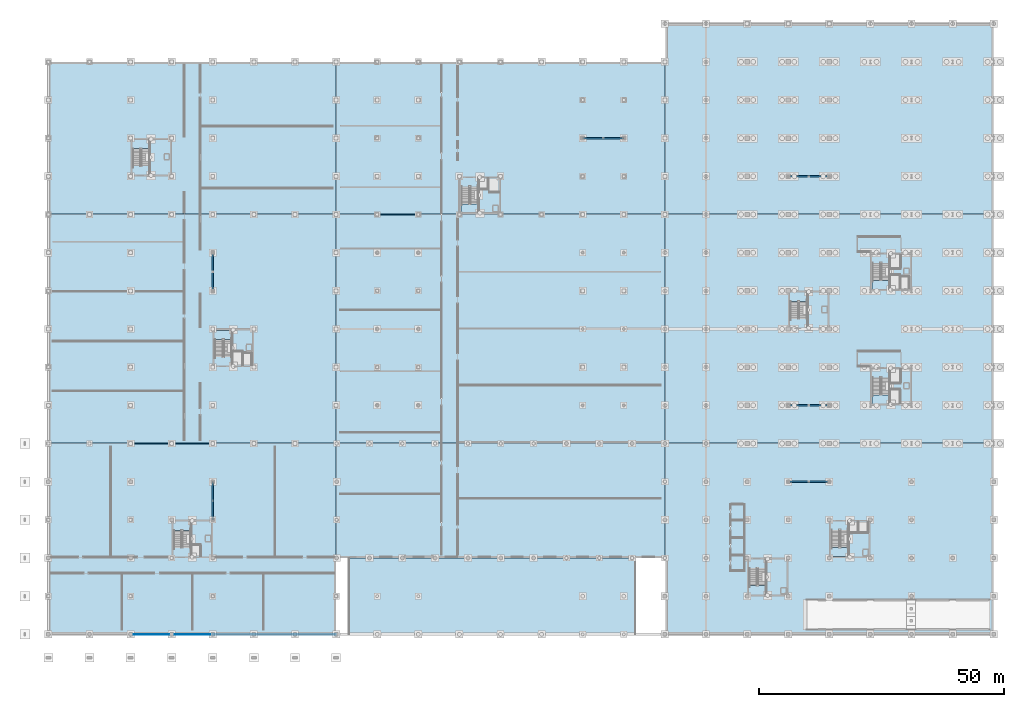
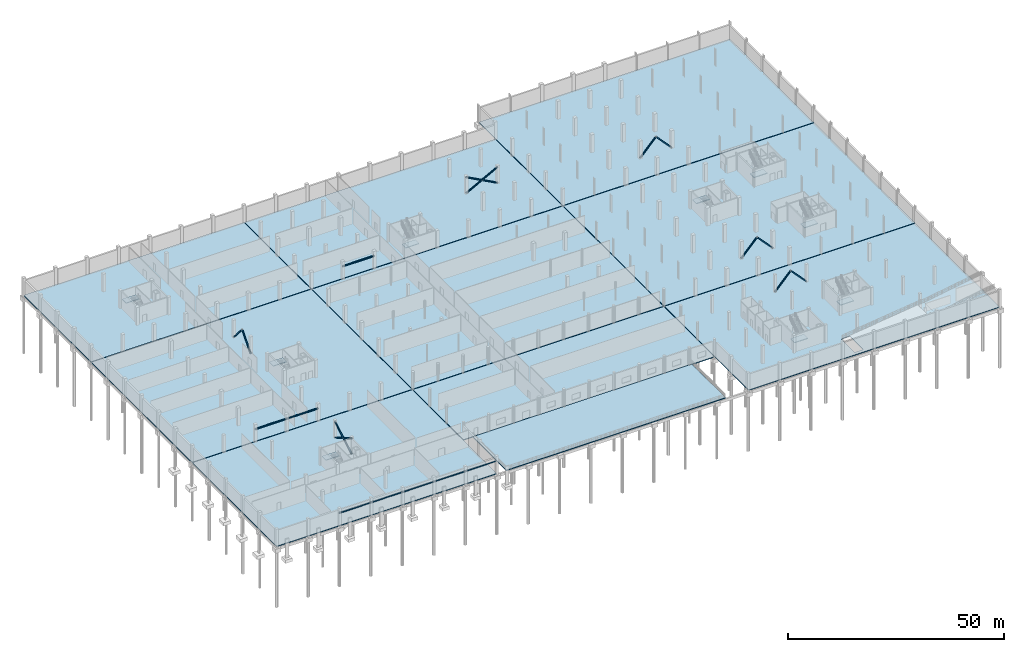
# One storey, part 24 of 48: 19 slabs, 14 members, 6 beams, 9 elements without a shape of their own.
"""IFC4 building model written with IfcOpenShell, lengths in metres."""

from ifc_helpers import new_model, si_unit, direction, frame, origin, origin_2d, place, context, subcontext, project, spatial, polyline, hollow_rectangle, i_section, outline, extrude, material, layer, layer_set, material_profile, profile_set, type_object, element, aggregate, save


model = new_model("IFC4")

# Units and contexts
model_context = context("Model", 3, precision=1e-05, world=origin(), true_north=direction((0.0, 1.0)))
body_context = subcontext(model_context, "Body", "Model", "MODEL_VIEW")
ifc_project = project(units=[si_unit("LENGTHUNIT", "METRE"), si_unit("AREAUNIT", "SQUARE_METRE"), si_unit("VOLUMEUNIT", "CUBIC_METRE"), si_unit("PLANEANGLEUNIT", "RADIAN"), si_unit("MASSUNIT", "GRAM", prefix="KILO")], contexts=[model_context])

# Site, building, storey
site_placement = place(None, origin())
site = spatial("IfcSite", under=ifc_project, at=site_placement, CompositionType="ELEMENT")
building_placement = place(site_placement, origin())
building = spatial("IfcBuilding", under=site, at=building_placement, Name="Nabrawat Pavilion Hospital", CompositionType="ELEMENT")
storey_placement = place(building_placement, frame((0.0, 0.0, -5.10009765625)))
storey = spatial("IfcBuildingStorey", under=building, at=storey_placement, Name="B1", CompositionType="ELEMENT", Elevation=-5.10009765625)

# Beams
ifc_material_1 = material(Name="Steel S355", Category="steel")
ifc_material_profile_1 = material_profile(ifc_material_1, i_section(OverallWidth=0.10009765625, OverallDepth=0.199951171875, WebThickness=0.005615234375, FlangeThickness=0.008544921875, FilletRadius=0.011962890625, at=origin_2d()), Name="IPE 200")
ifc_profile_set_1 = profile_set([ifc_material_profile_1], Name="Steel S355")
beam_type_1 = type_object("IfcBeamType", Name="Interior Shaft Opening Lintel IPE 200", PredefinedType="LINTEL", material=ifc_profile_set_1)
beam_1_placement = place(storey_placement, frame((16.820068359375, 0.0, 3.550048828125), z_axis=(1.0, 0.0, 0.0), x_axis=(0.0, 1.0, 0.0)))
element("IfcBeam", 1, at=beam_1_placement, inside=storey, type_object=beam_type_1, Name="B1 Service Spine Opening Lintel 06", PredefinedType="LINTEL", context=body_context, shape_type="SweptSolid", body=[
    extrude(i_section(OverallWidth=0.10009765625, OverallDepth=0.199951171875, WebThickness=0.005615234375, FlangeThickness=0.008544921875, FilletRadius=0.011962890625, at=origin_2d()), origin(), (0.0, 0.0, 1.0), 8.35986328125),
])
beam_2_placement = place(storey_placement, frame((25.219970703125, 0.0, 3.550048828125), z_axis=(1.0, 0.0, 0.0), x_axis=(0.0, 1.0, 0.0)))
element("IfcBeam", 2, at=beam_2_placement, inside=storey, type_object=beam_type_1, Name="B1 Service Spine Opening Lintel 07", PredefinedType="LINTEL", context=body_context, shape_type="SweptSolid", body=[
    extrude(i_section(OverallWidth=0.10009765625, OverallDepth=0.199951171875, WebThickness=0.005615234375, FlangeThickness=0.008544921875, FilletRadius=0.011962890625, at=origin_2d()), origin(), (0.0, 0.0, 1.0), 8.360107421875),
])
beam_3_placement = place(storey_placement, frame((33.6201171875, 0.0, 3.550048828125), z_axis=(1.0, 0.0, 0.0), x_axis=(0.0, 1.0, 0.0)))
element("IfcBeam", 3, at=beam_3_placement, inside=storey, type_object=beam_type_1, Name="B1 Service Spine Opening Lintel 08", PredefinedType="LINTEL", context=body_context, shape_type="SweptSolid", body=[
    extrude(i_section(OverallWidth=0.10009765625, OverallDepth=0.199951171875, WebThickness=0.005615234375, FlangeThickness=0.008544921875, FilletRadius=0.011962890625, at=origin_2d()), origin(), (0.0, 0.0, 1.0), 25.159912109375),
])

# Members
ifc_material_profile_2 = material_profile(ifc_material_1, hollow_rectangle(XDim=0.25, YDim=0.25, WallThickness=0.012451171875, at=origin_2d()), Name="SHS 250x250x12.5")
ifc_profile_set_2 = profile_set([ifc_material_profile_2], Name="Steel S355")
member_type = type_object("IfcMemberType", Name="Lower Seismic Chevron Brace SHS 250x250x12.5", PredefinedType="BRACE", material=ifc_profile_set_2)
member_1_placement = place(storey_placement, frame((33.60009765625, 23.39990234375, 0.050048828125), z_axis=(0.0, 0.866186940118, 0.499720106428), x_axis=(-1.0, 0.0, 0.0)))
element("IfcMember", 4, at=member_1_placement, inside=storey, type_object=member_type, Name="B1 Seismic Continuous X-Brace Diagonal 001", PredefinedType="BRACE", context=body_context, shape_type="SweptSolid", body=[
    extrude(hollow_rectangle(XDim=0.25, YDim=0.25, WallThickness=0.012451171875, at=origin_2d()), origin(), (0.0, 0.0, 1.0), 9.005126953125),
])
member_2_placement = place(storey_placement, frame((33.60009765625, 23.39990234375, 4.550048828125), z_axis=(0.0, 0.866200492656, -0.49969661448), x_axis=(-1.0, 0.0, 0.0)))
element("IfcMember", 5, at=member_2_placement, inside=storey, type_object=member_type, Name="B1 Seismic Split X-Brace Upper Segment 002", PredefinedType="BRACE", context=body_context, shape_type="SweptSolid", body=[
    extrude(hollow_rectangle(XDim=0.25, YDim=0.25, WallThickness=0.012451171875, at=origin_2d()), origin(), (0.0, 0.0, 1.0), 4.362548828125),
])
member_3_placement = place(storey_placement, frame((33.60009765625, 27.42138671875, 2.22998046875), z_axis=(0.0, 0.866186517779, -0.499720838486), x_axis=(-1.0, 0.0, 0.0)))
element("IfcMember", 6, at=member_3_placement, inside=storey, type_object=member_type, Name="B1 Seismic Split X-Brace Lower Segment 003", PredefinedType="BRACE", context=body_context, shape_type="SweptSolid", body=[
    extrude(hollow_rectangle(XDim=0.25, YDim=0.25, WallThickness=0.012451171875, at=origin_2d()), origin(), (0.0, 0.0, 1.0), 4.3623046875),
])
member_4_placement = place(storey_placement, frame((109.199951171875, 101.39990234375, 0.050048828125), z_axis=(0.881483397762, 0.0, 0.472215014025), x_axis=(0.0, 1.0, 0.0)))
element("IfcMember", 7, at=member_4_placement, inside=storey, type_object=member_type, Name="B1 Seismic Continuous X-Brace Diagonal 013", PredefinedType="BRACE", context=body_context, shape_type="SweptSolid", body=[
    extrude(hollow_rectangle(XDim=0.25, YDim=0.25, WallThickness=0.012451171875, at=origin_2d()), origin(), (0.0, 0.0, 1.0), 9.529541015625),
])
for number, where, z_axis, x_axis, name in (
    (8, (109.199951171875, 101.39990234375, 4.550048828125), (0.88148781778, 0.0, -0.472206763088), (0.0, 1.0, 0.0), "B1 Seismic Split X-Brace Upper Segment 014"),
    (9, (113.5234375, 101.39990234375, 2.23388671875), (0.88148781778, 0.0, -0.472206763088), (0.0, 1.0, 0.0), "B1 Seismic Split X-Brace Lower Segment 015"),
):
    element("IfcMember", number, at=place(storey_placement, frame(where, z_axis=z_axis, x_axis=x_axis)), inside=storey, type_object=member_type, Name=name, PredefinedType="BRACE", context=body_context, shape_type="SweptSolid", body=[
        extrude(hollow_rectangle(XDim=0.25, YDim=0.25, WallThickness=0.012451171875, at=origin_2d()), origin(), (0.0, 0.0, 1.0), 4.624755859375),
    ])
for number, where, z_axis, x_axis, name in (
    (10, (33.60009765625, 70.199951171875, 0.050048828125), (0.0, 0.654944585876, 0.755676908098), (-1.0, 0.0, 0.0), "B1 Seismic Concentric Chevron Brace 025"),
    (11, (33.60009765625, 78.0, 0.050048828125), (0.0, -0.654921173069, 0.755697199324), (1.0, 0.0, 0.0), "B1 Seismic Concentric Chevron Brace 026"),
):
    element("IfcMember", number, at=place(storey_placement, frame(where, z_axis=z_axis, x_axis=x_axis)), inside=storey, type_object=member_type, Name=name, PredefinedType="BRACE", context=body_context, shape_type="SweptSolid", body=[
        extrude(hollow_rectangle(XDim=0.25, YDim=0.25, WallThickness=0.012451171875, at=origin_2d()), origin(), (0.0, 0.0, 1.0), 5.954833984375),
    ])
for number, where, z_axis, x_axis, name in (
    (12, (151.199951171875, 31.199951171875, 0.050048828125), (0.682314010889, 0.0, 0.73105922506), (0.0, 1.0, 0.0), "B1 Seismic Concentric Chevron Brace 035"),
    (13, (159.60009765625, 31.199951171875, 0.050048828125), (-0.682335207557, 0.0, 0.731039441158), (0.0, -1.0, 0.0), "B1 Seismic Concentric Chevron Brace 036"),
    (14, (151.199951171875, 46.800048828125, 0.050048828125), (0.682314010889, 0.0, 0.73105922506), (0.0, 1.0, 0.0), "B1 Seismic Concentric Chevron Brace 047"),
    (15, (159.60009765625, 46.800048828125, 0.050048828125), (-0.682335207557, 0.0, 0.731039441158), (0.0, -1.0, 0.0), "B1 Seismic Concentric Chevron Brace 048"),
    (16, (151.199951171875, 93.60009765625, 0.050048828125), (0.682314010889, 0.0, 0.73105922506), (0.0, 1.0, 0.0), "B1 Seismic Concentric Chevron Brace 065"),
    (17, (159.60009765625, 93.60009765625, 0.050048828125), (-0.682335207557, 0.0, 0.731039441158), (0.0, -1.0, 0.0), "B1 Seismic Concentric Chevron Brace 066"),
):
    element("IfcMember", number, at=place(storey_placement, frame(where, z_axis=z_axis, x_axis=x_axis)), inside=storey, type_object=member_type, Name=name, PredefinedType="BRACE", context=body_context, shape_type="SweptSolid", body=[
        extrude(hollow_rectangle(XDim=0.25, YDim=0.25, WallThickness=0.012451171875, at=origin_2d()), origin(), (0.0, 0.0, 1.0), 6.155517578125),
    ])

# Beams
ifc_material_profile_3 = material_profile(ifc_material_1, i_section(OverallWidth=0.199951171875, OverallDepth=0.18994140625, WebThickness=0.006591796875, FlangeThickness=0.010009765625, FilletRadius=0.01806640625, at=origin_2d()), Name="HEA 200")
ifc_profile_set_3 = profile_set([ifc_material_profile_3], Name="Steel S355")
beam_type_2 = type_object("IfcBeamType", Name="Plant Opening Heavy Lintel HEA 200", PredefinedType="LINTEL", material=ifc_profile_set_3)
beam_4_placement = place(storey_placement, frame((16.820068359375, 39.0, 3.55517578125), z_axis=(1.0, 0.0, 0.0), x_axis=(0.0, 1.0, 0.0)))
element("IfcBeam", 18, at=beam_4_placement, inside=storey, type_object=beam_type_2, Name="B1 Heavy Plant Opening Lintel 09", PredefinedType="LINTEL", context=body_context, shape_type="SweptSolid", body=[
    extrude(i_section(OverallWidth=0.199951171875, OverallDepth=0.18994140625, WebThickness=0.006591796875, FlangeThickness=0.010009765625, FilletRadius=0.01806640625, at=origin_2d()), origin(), (0.0, 0.0, 1.0), 8.35986328125),
])
for number, where, z_axis, x_axis, name in (
    (19, (25.219970703125, 39.0, 3.55517578125), (1.0, 0.0, 0.0), (0.0, 1.0, 0.0), "B1 Heavy Plant Opening Lintel 10"),
    (20, (67.219970703125, 85.800048828125, 3.55517578125), (1.0, 0.0, 0.0), (0.0, 1.0, 0.0), "B1 Heavy Plant Opening Lintel 11"),
):
    element("IfcBeam", number, at=place(storey_placement, frame(where, z_axis=z_axis, x_axis=x_axis)), inside=storey, type_object=beam_type_2, Name=name, PredefinedType="LINTEL", context=body_context, shape_type="SweptSolid", body=[
        extrude(i_section(OverallWidth=0.199951171875, OverallDepth=0.18994140625, WebThickness=0.006591796875, FlangeThickness=0.010009765625, FilletRadius=0.01806640625, at=origin_2d()), origin(), (0.0, 0.0, 1.0), 8.360107421875),
    ])

# Slabs
ifc_material_2 = material(Name="Concrete C35/45", Category="concrete")
ifc_layer_1 = layer(ifc_material_2, 0.219970703125, Name="Concrete C35/45")
ifc_layer_set_1 = layer_set([ifc_layer_1], Name="Concrete C35/45")
slab_type_1 = type_object("IfcSlabType", Name="B1 Piled Raft Foundation Slab 220", PredefinedType="BASESLAB", material=ifc_layer_set_1)
slab_1_placement = place(storey_placement, frame((0.0, 0.0, -0.219970703125)))
element("IfcSlab", 21, at=slab_1_placement, inside=storey, type_object=slab_type_1, Name="B1 Piled Raft Foundation P_B1_WEST_S", PredefinedType="BASESLAB", context=body_context, shape_type="SweptSolid", body=[
    extrude(outline(polyline([(58.800048828125, 0.0), (58.800048828125, 39.0), (0.0, 39.0), (0.0, 0.0), (58.800048828125, 0.0)])), origin(), (0.0, 0.0, 1.0), 0.219970703125),
])
slab_2_placement = place(storey_placement, frame((0.0, 0.0, -0.219970703125)))
element("IfcSlab", 22, at=slab_2_placement, inside=storey, type_object=slab_type_1, Name="B1 Piled Raft Foundation P_B1_WEST_M", PredefinedType="BASESLAB", context=body_context, shape_type="SweptSolid", body=[
    extrude(outline(polyline([(58.800048828125, 39.1201171875), (58.800048828125, 85.800048828125), (0.0, 85.800048828125), (0.0, 39.1201171875), (58.800048828125, 39.1201171875)])), origin(), (0.0, 0.0, 1.0), 0.219970703125),
])
slab_3_placement = place(storey_placement, frame((0.0, 0.0, -0.219970703125)))
element("IfcSlab", 23, at=slab_3_placement, inside=storey, type_object=slab_type_1, Name="B1 Piled Raft Foundation P_B1_WEST_N", PredefinedType="BASESLAB", context=body_context, shape_type="SweptSolid", body=[
    extrude(outline(polyline([(58.800048828125, 85.919921875), (58.800048828125, 117.0), (0.0, 117.0), (0.0, 85.919921875), (58.800048828125, 85.919921875)])), origin(), (0.0, 0.0, 1.0), 0.219970703125),
])
slab_4_placement = place(storey_placement, frame((0.0, 0.0, -0.219970703125)))
element("IfcSlab", 24, at=slab_4_placement, inside=storey, type_object=slab_type_1, Name="B1 Piled Raft Foundation P_B1_CENTRE_S", PredefinedType="BASESLAB", context=body_context, shape_type="SweptSolid", body=[
    extrude(outline(polyline([(126.0, 15.60009765625), (126.0, 39.0), (58.919921875, 39.0), (58.919921875, 15.60009765625), (126.0, 15.60009765625)])), origin(), (0.0, 0.0, 1.0), 0.219970703125),
])
slab_5_placement = place(storey_placement, frame((0.0, 0.0, -0.219970703125)))
element("IfcSlab", 25, at=slab_5_placement, inside=storey, type_object=slab_type_1, Name="B1 Piled Raft Foundation P_B1_COURTYARD_SUB", PredefinedType="BASESLAB", context=body_context, shape_type="SweptSolid", body=[
    extrude(outline(polyline([(126.0, 39.1201171875), (126.0, 85.800048828125), (58.919921875, 85.800048828125), (58.919921875, 39.1201171875), (126.0, 39.1201171875)])), origin(), (0.0, 0.0, 1.0), 0.219970703125),
])
slab_6_placement = place(storey_placement, frame((0.0, 0.0, -0.219970703125)))
element("IfcSlab", 26, at=slab_6_placement, inside=storey, type_object=slab_type_1, Name="B1 Piled Raft Foundation P_B1_CENTRE_N", PredefinedType="BASESLAB", context=body_context, shape_type="SweptSolid", body=[
    extrude(outline(polyline([(126.0, 85.919921875), (126.0, 117.0), (58.919921875, 117.0), (58.919921875, 85.919921875), (126.0, 85.919921875)])), origin(), (0.0, 0.0, 1.0), 0.219970703125),
])
slab_7_placement = place(storey_placement, frame((0.0, 0.0, -0.219970703125)))
element("IfcSlab", 27, at=slab_7_placement, inside=storey, type_object=slab_type_1, Name="B1 Piled Raft Foundation P_B1_EAST_S", PredefinedType="BASESLAB", context=body_context, shape_type="SweptSolid", body=[
    extrude(outline(polyline([(126.1201171875, 0.0), (193.199951171875, 0.0), (193.199951171875, 39.0), (126.1201171875, 39.0), (126.1201171875, 0.0)]), holes=[polyline([(154.989990234375, 0.889892578125), (154.989990234375, 7.110107421875), (157.300048828125, 7.110107421875), (157.300048828125, 0.889892578125), (154.989990234375, 0.889892578125)])]), origin(), (0.0, 0.0, 1.0), 0.219970703125),
])
slab_8_placement = place(storey_placement, frame((0.0, 0.0, -0.219970703125)))
element("IfcSlab", 28, at=slab_8_placement, inside=storey, type_object=slab_type_1, Name="B1 Piled Raft Foundation P_B1_EAST_M", PredefinedType="BASESLAB", context=body_context, shape_type="SweptSolid", body=[
    extrude(outline(polyline([(193.199951171875, 39.1201171875), (193.199951171875, 85.800048828125), (126.1201171875, 85.800048828125), (126.1201171875, 39.1201171875), (193.199951171875, 39.1201171875)])), origin(), (0.0, 0.0, 1.0), 0.219970703125),
])
slab_9_placement = place(storey_placement, frame((0.0, 0.0, -0.219970703125)))
element("IfcSlab", 29, at=slab_9_placement, inside=storey, type_object=slab_type_1, Name="B1 Piled Raft Foundation P_B1_EAST_N", PredefinedType="BASESLAB", context=body_context, shape_type="SweptSolid", body=[
    extrude(outline(polyline([(193.199951171875, 85.919921875), (193.199951171875, 124.800048828125), (126.1201171875, 124.800048828125), (126.1201171875, 85.919921875), (193.199951171875, 85.919921875)])), origin(), (0.0, 0.0, 1.0), 0.219970703125),
])

# Stair, slab
stair_type_1 = type_object("IfcStairType", Name="Core Dogleg Escape Stair Assembly", PredefinedType="HALF_TURN_STAIR", material=ifc_material_2)
stair_1_placement = place(storey_placement, origin())
stair_1 = element("IfcStair", 30, at=stair_1_placement, inside=storey, type_object=stair_type_1, Name="B1 Emergency Stair and Lift Core 1", PredefinedType="HALF_TURN_STAIR")
ifc_layer_2 = layer(ifc_material_2, 0.199951171875, Name="Concrete C35/45")
ifc_layer_set_2 = layer_set([ifc_layer_2], Name="Concrete C35/45")
slab_type_2 = type_object("IfcSlabType", Name="Reinforced Concrete Stair Half-Landing 200", PredefinedType="LANDING", material=ifc_layer_set_2)
slab_10_placement = place(storey_placement, frame((0.0, 0.0, 2.35009765625)))
slab_10 = element("IfcSlab", 31, at=slab_10_placement, type_object=slab_type_2, Name="ST-01 landing 1", PredefinedType="LANDING", context=body_context, shape_type="SweptSolid", body=[
    extrude(outline(polyline([(29.070068359375, 21.2451171875), (29.070068359375, 23.1201171875), (25.47998046875, 23.1201171875), (25.47998046875, 21.2451171875), (29.070068359375, 21.2451171875)])), origin(), (0.0, 0.0, 1.0), 0.199951171875),
])
aggregate(stair_1, [slab_10])

stair_2_placement = place(storey_placement, origin())
stair_2 = element("IfcStair", 32, at=stair_2_placement, inside=storey, type_object=stair_type_1, Name="B1 Surgical Stair and Bed-Lift Core 2", PredefinedType="HALF_TURN_STAIR")
slab_11_placement = place(storey_placement, frame((0.0, 0.0, 2.35009765625)))
slab_11 = element("IfcSlab", 33, at=slab_11_placement, type_object=slab_type_2, Name="ST-02 landing 1", PredefinedType="LANDING", context=body_context, shape_type="SweptSolid", body=[
    extrude(outline(polyline([(37.469970703125, 60.2451171875), (37.469970703125, 62.1201171875), (33.8798828125, 62.1201171875), (33.8798828125, 60.2451171875), (37.469970703125, 60.2451171875)])), origin(), (0.0, 0.0, 1.0), 0.199951171875),
])
aggregate(stair_2, [slab_11])

stair_3_placement = place(storey_placement, origin())
stair_3 = element("IfcStair", 34, at=stair_3_placement, inside=storey, type_object=stair_type_1, Name="B1 Diagnostic and Main Hall Core 3", PredefinedType="HALF_TURN_STAIR")
slab_12_placement = place(storey_placement, frame((0.0, 0.0, 2.35009765625)))
slab_12 = element("IfcSlab", 35, at=slab_12_placement, type_object=slab_type_2, Name="ST-03 landing 1", PredefinedType="LANDING", context=body_context, shape_type="SweptSolid", body=[
    extrude(outline(polyline([(87.8701171875, 86.199951171875), (87.8701171875, 87.955078125), (84.280029296875, 87.955078125), (84.280029296875, 86.199951171875), (87.8701171875, 86.199951171875)])), origin(), (0.0, 0.0, 1.0), 0.199951171875),
])
aggregate(stair_3, [slab_12])

stair_4_placement = place(storey_placement, origin())
stair_4 = element("IfcStair", 36, at=stair_4_placement, inside=storey, type_object=stair_type_1, Name="B1 Outpatient Clinics Core 4", PredefinedType="HALF_TURN_STAIR")
slab_13_placement = place(storey_placement, frame((0.0, 0.0, 2.35009765625)))
slab_13 = element("IfcSlab", 37, at=slab_13_placement, type_object=slab_type_2, Name="ST-04 landing 1", PredefinedType="LANDING", context=body_context, shape_type="SweptSolid", body=[
    extrude(outline(polyline([(163.469970703125, 15.8798828125), (163.469970703125, 17.7548828125), (159.8798828125, 17.7548828125), (159.8798828125, 15.8798828125), (163.469970703125, 15.8798828125)])), origin(), (0.0, 0.0, 1.0), 0.199951171875),
])
aggregate(stair_4, [slab_13])

stair_type_2 = type_object("IfcStairType", Name="Ward Upper Dogleg Escape Stair Assembly", PredefinedType="HALF_TURN_STAIR", material=ifc_material_2)
stair_5_placement = place(storey_placement, origin())
stair_5 = element("IfcStair", 38, at=stair_5_placement, inside=storey, type_object=stair_type_2, Name="B1 Inpatient South Firefighting Core 5", PredefinedType="HALF_TURN_STAIR")
slab_14_placement = place(storey_placement, frame((0.0, 0.0, 2.35009765625)))
slab_14 = element("IfcSlab", 39, at=slab_14_placement, type_object=slab_type_2, Name="ST-05 landing 1", PredefinedType="LANDING", context=body_context, shape_type="SweptSolid", body=[
    extrude(outline(polyline([(171.8701171875, 47.080078125), (171.8701171875, 48.955078125), (168.280029296875, 48.955078125), (168.280029296875, 47.080078125), (171.8701171875, 47.080078125)])), origin(), (0.0, 0.0, 1.0), 0.199951171875),
])
aggregate(stair_5, [slab_14])

stair_6_placement = place(storey_placement, origin())
stair_6 = element("IfcStair", 40, at=stair_6_placement, inside=storey, type_object=stair_type_2, Name="B1 Inpatient North Firefighting Core 6", PredefinedType="HALF_TURN_STAIR")
slab_15_placement = place(storey_placement, frame((0.0, 0.0, 2.35009765625)))
slab_15 = element("IfcSlab", 41, at=slab_15_placement, type_object=slab_type_2, Name="ST-06 landing 1", PredefinedType="LANDING", context=body_context, shape_type="SweptSolid", body=[
    extrude(outline(polyline([(171.8701171875, 70.47998046875), (171.8701171875, 72.35498046875), (168.280029296875, 72.35498046875), (168.280029296875, 70.47998046875), (171.8701171875, 70.47998046875)])), origin(), (0.0, 0.0, 1.0), 0.199951171875),
])
aggregate(stair_6, [slab_15])

stair_7_placement = place(storey_placement, origin())
stair_7 = element("IfcStair", 42, at=stair_7_placement, inside=storey, type_object=stair_type_1, Name="B1 Surgical North Escape Stair Core 7", PredefinedType="HALF_TURN_STAIR")
slab_16_placement = place(storey_placement, frame((0.0, 0.0, 2.35009765625)))
slab_16 = element("IfcSlab", 43, at=slab_16_placement, type_object=slab_type_2, Name="ST-07 landing 1", PredefinedType="LANDING", context=body_context, shape_type="SweptSolid", body=[
    extrude(outline(polyline([(20.669921875, 99.2451171875), (20.669921875, 101.1201171875), (17.080078125, 101.1201171875), (17.080078125, 99.2451171875), (20.669921875, 99.2451171875)])), origin(), (0.0, 0.0, 1.0), 0.199951171875),
])
aggregate(stair_7, [slab_16])

stair_8_placement = place(storey_placement, origin())
stair_8 = element("IfcStair", 44, at=stair_8_placement, inside=storey, type_object=stair_type_1, Name="B1 Outpatient West Escape Stair Core 8", PredefinedType="HALF_TURN_STAIR")
slab_17_placement = place(storey_placement, frame((0.0, 0.0, 2.35009765625)))
slab_17 = element("IfcSlab", 45, at=slab_17_placement, type_object=slab_type_2, Name="ST-08 landing 1", PredefinedType="LANDING", context=body_context, shape_type="SweptSolid", body=[
    extrude(outline(polyline([(146.669921875, 8.080078125), (146.669921875, 9.955078125), (143.080078125, 9.955078125), (143.080078125, 8.080078125), (146.669921875, 8.080078125)])), origin(), (0.0, 0.0, 1.0), 0.199951171875),
])
aggregate(stair_8, [slab_17])

stair_9_placement = place(storey_placement, origin())
stair_9 = element("IfcStair", 46, at=stair_9_placement, inside=storey, type_object=stair_type_2, Name="B1 Inpatient West Escape Stair Core 9", PredefinedType="HALF_TURN_STAIR")
slab_18_placement = place(storey_placement, frame((0.0, 0.0, 2.35009765625)))
slab_18 = element("IfcSlab", 47, at=slab_18_placement, type_object=slab_type_2, Name="ST-09 landing 1", PredefinedType="LANDING", context=body_context, shape_type="SweptSolid", body=[
    extrude(outline(polyline([(155.070068359375, 68.044921875), (155.070068359375, 69.919921875), (151.47998046875, 69.919921875), (151.47998046875, 68.044921875), (155.070068359375, 68.044921875)])), origin(), (0.0, 0.0, 1.0), 0.199951171875),
])
aggregate(stair_9, [slab_18])

# Slab
ifc_layer_3 = layer(ifc_material_2, 0.260009765625, Name="Concrete C35/45")
ifc_layer_set_3 = layer_set([ifc_layer_3], Name="Concrete C35/45")
slab_type_3 = type_object("IfcSlabType", Name="Sunken Metro Forecourt Plaza Slab 260", PredefinedType="FLOOR", material=ifc_layer_set_3)
slab_19_placement = place(storey_placement, frame((0.0, 0.0, -0.260009765625)))
element("IfcSlab", 48, at=slab_19_placement, inside=storey, type_object=slab_type_3, Name="B1 Walkable Clinical Terrace Slab T_B1_METRO_FORECOURT", PredefinedType="FLOOR", context=body_context, shape_type="SweptSolid", body=[
    extrude(outline(polyline([(120.0, 0.0), (120.0, 15.6201171875), (61.39990234375, 15.6201171875), (61.39990234375, 0.0), (120.0, 0.0)])), origin(), (0.0, 0.0, 1.0), 0.260009765625),
])

save(model, "model.ifc")
